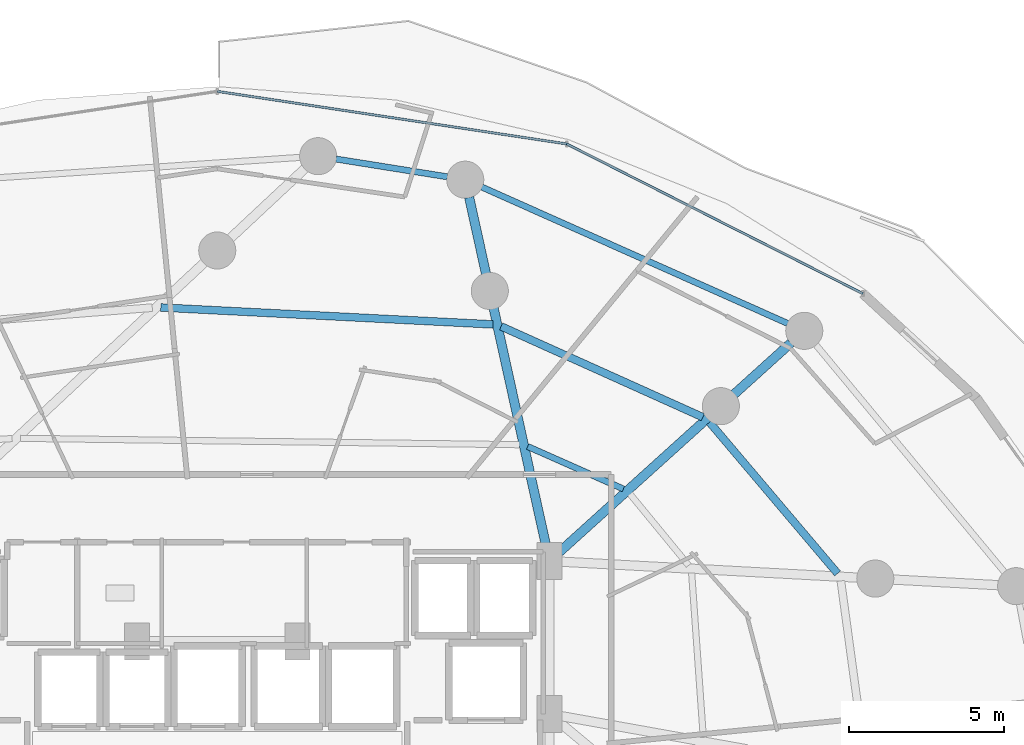
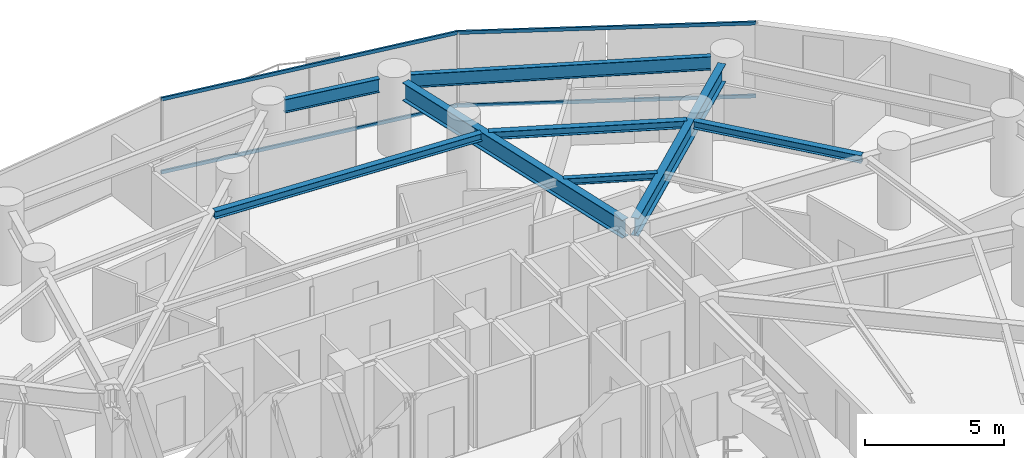
# One storey, part 22 of 33: 8 beams, 4 members, 1 element without a shape of its own.
"""IFC4 building model written with IfcOpenShell, lengths in metres."""

from ifc_helpers import new_model, si_unit, direction, frame, origin, origin_2d, place, context, subcontext, project, spatial, hollow_rectangle, i_section, extrude, material, material_profile, profile_set, type_object, element, aggregate, save


model = new_model("IFC4")

# Units and contexts
model_context = context("Model", 3, precision=1e-05, world=origin(), true_north=direction((0.0, 1.0)))
body_context = subcontext(model_context, "Body", "Model", "MODEL_VIEW")
ifc_project = project(units=[si_unit("LENGTHUNIT", "METRE"), si_unit("AREAUNIT", "SQUARE_METRE"), si_unit("VOLUMEUNIT", "CUBIC_METRE"), si_unit("PLANEANGLEUNIT", "RADIAN"), si_unit("MASSUNIT", "GRAM", prefix="KILO")], contexts=[model_context])

# Site, building, storey
site_placement = place(None, origin())
site = spatial("IfcSite", under=ifc_project, at=site_placement, CompositionType="ELEMENT")
building_placement = place(site_placement, origin())
building = spatial("IfcBuilding", under=site, at=building_placement, Name="Vorneva Point Tower", CompositionType="ELEMENT")
storey_placement = place(building_placement, frame((0.0, 0.0, 59.0)))
storey = spatial("IfcBuildingStorey", under=building, at=storey_placement, Name="L15", CompositionType="ELEMENT", Elevation=59.0)

# Beams
ifc_material_1 = material(Name="Steel S355", Category="steel")
ifc_material_profile_1 = material_profile(ifc_material_1, i_section(OverallWidth=0.300048828125, OverallDepth=0.7880859375, WebThickness=0.014404296875, FlangeThickness=0.02197265625, at=origin_2d()), Name="80Sh1")
ifc_profile_set_1 = profile_set([ifc_material_profile_1], Name="Steel S355")
beam_type_1 = type_object("IfcBeamType", Name="BM-GRD-80Sh1", PredefinedType="USERDEFINED", material=ifc_profile_set_1)
beam_1_placement = place(storey_placement, frame((56.56103515625, 40.205810546875, 2.845947265625), z_axis=(-0.742076105577, -0.670315637243, 0.0), x_axis=(0.670315637243, -0.742076105577, 0.0)))
element("IfcBeam", 1, at=beam_1_placement, inside=storey, type_object=beam_type_1, Name="L15 Radial Primary Girder 03", ObjectType="GIRDER", PredefinedType="USERDEFINED", context=body_context, shape_type="SweptSolid", body=[
    extrude(i_section(OverallWidth=0.300048828125, OverallDepth=0.7880859375, WebThickness=0.014404296875, FlangeThickness=0.02197265625, at=origin_2d()), origin(), (0.0, 0.0, 1.0), 10.18603515625),
])
beam_2_placement = place(storey_placement, frame((46.15283203125, 44.91748046875, 2.845947265625), z_axis=(0.215521919097, -0.976499002759, 0.0), x_axis=(0.976499002759, 0.215521919097, 0.0)))
element("IfcBeam", 2, at=beam_2_placement, inside=storey, type_object=beam_type_1, Name="L15 Radial Primary Girder 04", ObjectType="GIRDER", PredefinedType="USERDEFINED", context=body_context, shape_type="SweptSolid", body=[
    extrude(i_section(OverallWidth=0.300048828125, OverallDepth=0.7880859375, WebThickness=0.014404296875, FlangeThickness=0.02197265625, at=origin_2d()), origin(), (0.0, 0.0, 1.0), 11.710693359375),
])
ifc_material_profile_2 = material_profile(ifc_material_1, i_section(OverallWidth=0.199951171875, OverallDepth=0.291015625, WebThickness=0.008056640625, FlangeThickness=0.010986328125, at=origin_2d()), Name="30Sh1")
ifc_profile_set_2 = profile_set([ifc_material_profile_2], Name="Steel S355")
beam_type_2 = type_object("IfcBeamType", Name="BM-SEC-30Sh1", PredefinedType="BEAM", material=ifc_profile_set_2)
beam_3_placement = place(storey_placement, frame((51.143798828125, 35.482177734375, 3.094482421875), z_axis=(-0.914078683752, 0.405536878607, 0.0), x_axis=(-0.405536878607, -0.914078683752, 0.0)))
element("IfcBeam", 3, at=beam_3_placement, inside=storey, type_object=beam_type_2, Name="L15 Secondary Floor Beam 2.03", PredefinedType="BEAM", context=body_context, shape_type="SweptSolid", body=[
    extrude(i_section(OverallWidth=0.199951171875, OverallDepth=0.291015625, WebThickness=0.008056640625, FlangeThickness=0.010986328125, at=origin_2d()), origin(), (0.0, 0.0, 1.0), 3.389404296875),
])
ifc_material_profile_3 = material_profile(ifc_material_1, i_section(OverallWidth=0.2490234375, OverallDepth=0.333984375, WebThickness=0.008056640625, FlangeThickness=0.010986328125, at=origin_2d()), Name="35Sh1")
ifc_profile_set_3 = profile_set([ifc_material_profile_3], Name="Steel S355")
beam_type_3 = type_object("IfcBeamType", Name="BM-SEC-35Sh1", PredefinedType="BEAM", material=ifc_profile_set_3)
beam_4_placement = place(storey_placement, frame((58.07421875, 32.748291015625, 3.072998046875), z_axis=(-0.64629711118, 0.763085869402, 0.0), x_axis=(-0.763085869402, -0.64629711118, 0.0)))
element("IfcBeam", 4, at=beam_4_placement, inside=storey, type_object=beam_type_3, Name="L15 Secondary Floor Beam 1.02", PredefinedType="BEAM", context=body_context, shape_type="SweptSolid", body=[
    extrude(i_section(OverallWidth=0.2490234375, OverallDepth=0.333984375, WebThickness=0.008056640625, FlangeThickness=0.010986328125, at=origin_2d()), origin(), (0.0, 0.0, 1.0), 6.41357421875),
])
beam_5_placement = place(storey_placement, frame((53.714111328125, 37.804443359375, 3.072998046875), z_axis=(-0.911797659955, 0.41063977803, 0.0), x_axis=(-0.41063977803, -0.911797659955, 0.0)))
element("IfcBeam", 5, at=beam_5_placement, inside=storey, type_object=beam_type_3, Name="L15 Secondary Floor Beam 1.03", PredefinedType="BEAM", context=body_context, shape_type="SweptSolid", body=[
    extrude(i_section(OverallWidth=0.2490234375, OverallDepth=0.333984375, WebThickness=0.008056640625, FlangeThickness=0.010986328125, at=origin_2d()), origin(), (0.0, 0.0, 1.0), 7.158203125),
])
beam_6_placement = place(storey_placement, frame((46.923583984375, 40.8076171875, 3.072998046875), z_axis=(-0.998705418503, 0.050867347602, 0.0), x_axis=(-0.050867347602, -0.998705418503, 0.0)))
element("IfcBeam", 6, at=beam_6_placement, inside=storey, type_object=beam_type_3, Name="L15 Secondary Floor Beam 1.04", PredefinedType="BEAM", context=body_context, shape_type="SweptSolid", body=[
    extrude(i_section(OverallWidth=0.2490234375, OverallDepth=0.333984375, WebThickness=0.008056640625, FlangeThickness=0.010986328125, at=origin_2d()), origin(), (0.0, 0.0, 1.0), 10.765380859375),
])
ifc_material_profile_4 = material_profile(ifc_material_1, i_section(OverallWidth=0.198974609375, OverallDepth=0.595947265625, WebThickness=0.010009765625, FlangeThickness=0.014892578125, at=origin_2d()), Name="60B1")
ifc_profile_set_4 = profile_set([ifc_material_profile_4], Name="Steel S355")
beam_type_4 = type_object("IfcBeamType", Name="BM-SPN-60B1", PredefinedType="SPANDREL", material=ifc_profile_set_4)
beam_7_placement = place(storey_placement, frame((56.463134765625, 40.837890625, 2.94189453125), z_axis=(-0.913318750016, 0.407245455309, 0.0), x_axis=(-0.407245455309, -0.913318750016, 0.0)))
element("IfcBeam", 7, at=beam_7_placement, inside=storey, type_object=beam_type_4, Name="L15 Perimeter Spandrel Ring Beam 03", PredefinedType="SPANDREL", context=body_context, shape_type="SweptSolid", body=[
    extrude(i_section(OverallWidth=0.198974609375, OverallDepth=0.595947265625, WebThickness=0.010009765625, FlangeThickness=0.014892578125, at=origin_2d()), origin(), (0.0, 0.0, 1.0), 10.842529296875),
])
beam_8_placement = place(storey_placement, frame((45.448486328125, 45.583984375, 2.94189453125), z_axis=(-0.987472321528, 0.157792313549, 0.0), x_axis=(-0.157792313549, -0.987472321528, 0.0)))
element("IfcBeam", 8, at=beam_8_placement, inside=storey, type_object=beam_type_4, Name="L15 Perimeter Spandrel Ring Beam 04", PredefinedType="SPANDREL", context=body_context, shape_type="SweptSolid", body=[
    extrude(i_section(OverallWidth=0.198974609375, OverallDepth=0.595947265625, WebThickness=0.010009765625, FlangeThickness=0.014892578125, at=origin_2d()), origin(), (0.0, 0.0, 1.0), 3.6513671875),
])

# Curtain wall, members
ifc_material_2 = material(Name="Pale anodised aluminium", Category="aluminium")
curtain_wall_type = type_object("IfcCurtainWallType", Name="CW-HTL-SYS", PredefinedType="NOTDEFINED", material=ifc_material_2)
curtain_wall_placement = place(storey_placement, origin())
curtain_wall = element("IfcCurtainWall", 9, at=curtain_wall_placement, inside=storey, type_object=curtain_wall_type, Name="L15 Unitised Curtain Wall CW-L15-R02", PredefinedType="NOTDEFINED")
ifc_material_profile_5 = material_profile(ifc_material_2, hollow_rectangle(XDim=0.074951171875, YDim=0.14990234375, WallThickness=0.00390625, at=origin_2d()), Name="AL-TRN 150x75x4")
ifc_profile_set_5 = profile_set([ifc_material_profile_5], Name="Pale anodised aluminium")
member_type = type_object("IfcMemberType", Name="CW-TRN-150", PredefinedType="USERDEFINED", material=ifc_profile_set_5)
member_1_placement = place(storey_placement, frame((58.89501953125, 41.8037109375, 0.02001953125), z_axis=(-0.892496057621, 0.451055192999, 0.0), x_axis=(-0.451055192999, -0.892496057621, 0.0)))
member_1 = element("IfcMember", 10, at=member_1_placement, type_object=member_type, Name="CW-L15-R02 Transom 01.1", ObjectType="TRANSOM", PredefinedType="USERDEFINED", context=body_context, shape_type="SweptSolid", body=[
    extrude(hollow_rectangle(XDim=0.074951171875, YDim=0.14990234375, WallThickness=0.00390625, at=origin_2d()), origin(), (0.0, 0.0, 1.0), 10.741455078125),
])
member_2_placement = place(storey_placement, frame((58.89501953125, 41.8037109375, 3.219970703125), z_axis=(-0.892496057621, 0.451055192999, 0.0), x_axis=(-0.451055192999, -0.892496057621, 0.0)))
member_2 = element("IfcMember", 11, at=member_2_placement, type_object=member_type, Name="CW-L15-R02 Transom 01.2", ObjectType="TRANSOM", PredefinedType="USERDEFINED", context=body_context, shape_type="SweptSolid", body=[
    extrude(hollow_rectangle(XDim=0.074951171875, YDim=0.14990234375, WallThickness=0.00390625, at=origin_2d()), origin(), (0.0, 0.0, 1.0), 10.741455078125),
])
member_3_placement = place(storey_placement, frame((49.308349609375, 46.648681640625, 0.02001953125), z_axis=(-0.988870014575, 0.148782036131, 0.0), x_axis=(-0.148782036131, -0.988870014575, 0.0)))
member_3 = element("IfcMember", 12, at=member_3_placement, type_object=member_type, Name="CW-L15-R02 Transom 02.1", ObjectType="TRANSOM", PredefinedType="USERDEFINED", context=body_context, shape_type="SweptSolid", body=[
    extrude(hollow_rectangle(XDim=0.074951171875, YDim=0.14990234375, WallThickness=0.00390625, at=origin_2d()), origin(), (0.0, 0.0, 1.0), 11.435546875),
])
member_4_placement = place(storey_placement, frame((49.308349609375, 46.648681640625, 3.219970703125), z_axis=(-0.988870014575, 0.148782036131, 0.0), x_axis=(-0.148782036131, -0.988870014575, 0.0)))
member_4 = element("IfcMember", 13, at=member_4_placement, type_object=member_type, Name="CW-L15-R02 Transom 02.2", ObjectType="TRANSOM", PredefinedType="USERDEFINED", context=body_context, shape_type="SweptSolid", body=[
    extrude(hollow_rectangle(XDim=0.074951171875, YDim=0.14990234375, WallThickness=0.00390625, at=origin_2d()), origin(), (0.0, 0.0, 1.0), 11.435546875),
])
aggregate(curtain_wall, [member_1, member_2, member_3, member_4])

save(model, "model.ifc")
